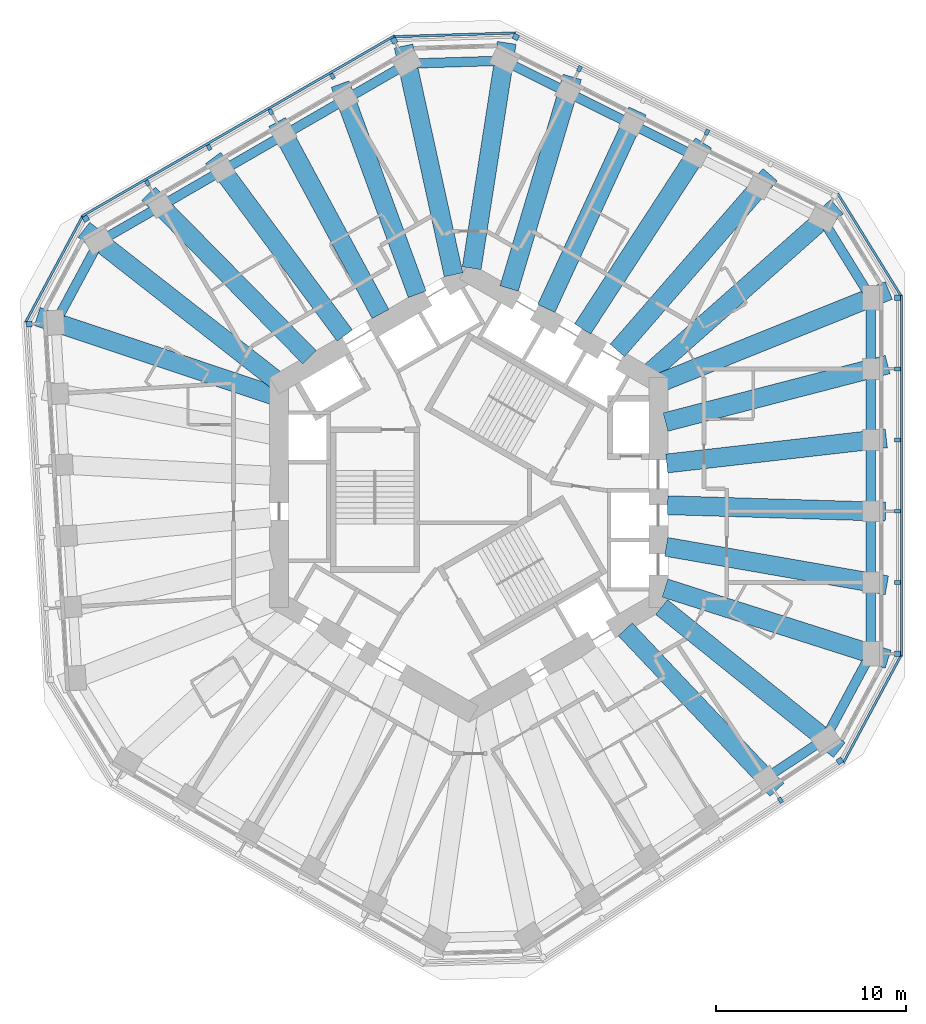
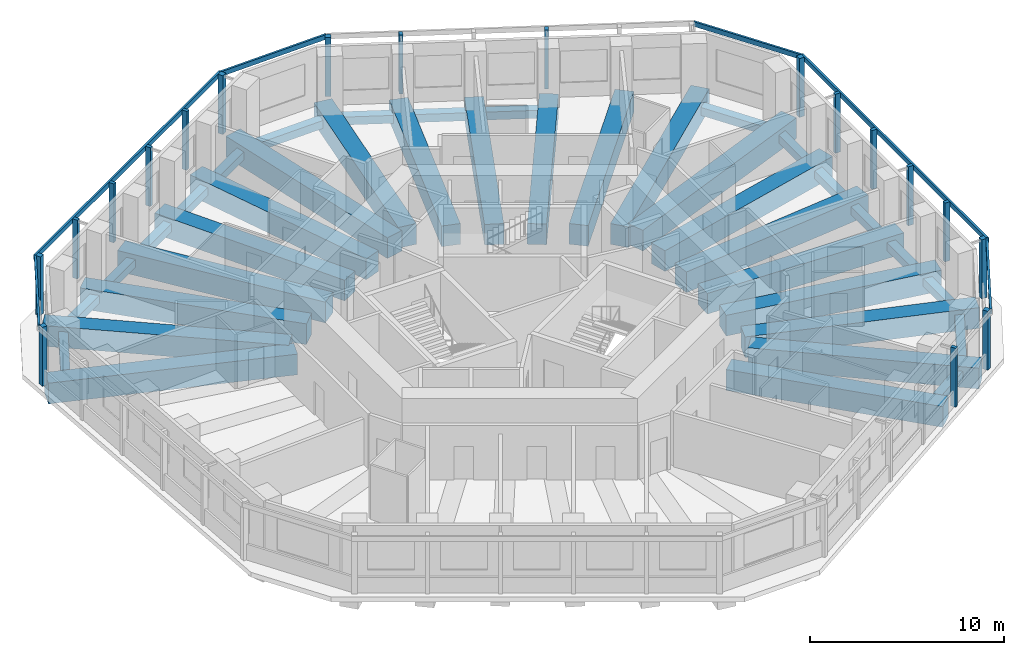
# One storey, part 2 of 12: 39 beams, 24 members, 9 elements without a shape of their own.
"""IFC4 building model written with IfcOpenShell, lengths in metres."""

from ifc_helpers import new_model, si_unit, direction, frame, origin, origin_2d, place, context, subcontext, project, spatial, rectangle, extrude, material, material_profile, profile_set, type_object, element, aggregate, save


model = new_model("IFC4")

# Units and contexts
model_context = context("Model", 3, precision=1e-05, world=origin(), true_north=direction((0.0, 1.0)))
body_context = subcontext(model_context, "Body", "Model", "MODEL_VIEW")
ifc_project = project(units=[si_unit("LENGTHUNIT", "METRE"), si_unit("AREAUNIT", "SQUARE_METRE"), si_unit("VOLUMEUNIT", "CUBIC_METRE"), si_unit("PLANEANGLEUNIT", "RADIAN"), si_unit("MASSUNIT", "GRAM", prefix="KILO")], contexts=[model_context])

# Site, building, storey
site_placement = place(None, origin())
site = spatial("IfcSite", under=ifc_project, at=site_placement, CompositionType="ELEMENT")
building_placement = place(site_placement, origin())
building = spatial("IfcBuilding", under=site, at=building_placement, Name="Vanh Sen Convention Tower", CompositionType="ELEMENT")
storey_placement = place(building_placement, frame((0.0, 0.0, 124.39990234375)))
storey = spatial("IfcBuildingStorey", under=building, at=storey_placement, Name="L30", CompositionType="ELEMENT", Elevation=124.39990234375)

# Curtain wall, members
ifc_material_1 = material(Name="Concrete C50/60", Category="concrete")
curtain_wall_type = type_object("IfcCurtainWallType", Name="Outer skin office zone", PredefinedType="NOTDEFINED", material=ifc_material_1)
curtain_wall_1_placement = place(storey_placement, origin())
curtain_wall_1 = element("IfcCurtainWall", 1, at=curtain_wall_1_placement, inside=storey, type_object=curtain_wall_type, Name="OUTER SKIN E L30", PredefinedType="NOTDEFINED")
ifc_material_profile_1 = material_profile(ifc_material_1, rectangle(XDim=0.300048828125, YDim=0.300048828125, at=origin_2d()), Name="Outer skin precast corner fin 300 x 300")
ifc_profile_set_1 = profile_set([ifc_material_profile_1], Name="Concrete C50/60")
member_type_1 = type_object("IfcMemberType", Name="Outer skin precast corner fin 300 x 300", PredefinedType="MULLION", material=ifc_profile_set_1)
member_1_placement = place(storey_placement, frame((22.60009765625, -8.5009765625, 0.0), z_axis=(0.0, 0.0, 1.0), x_axis=(0.0, 1.0, 0.0)))
member_1 = element("IfcMember", 2, at=member_1_placement, type_object=member_type_1, Name="OUTER SKIN CORNER FIN 1 E L30", PredefinedType="MULLION", context=body_context, shape_type="SweptSolid", body=[
    extrude(rectangle(XDim=0.300048828125, YDim=0.300048828125, at=origin_2d()), origin(), (0.0, 0.0, 1.0), 3.7001953125),
])
member_2_placement = place(storey_placement, frame((22.60009765625, 10.26953125, 0.0), z_axis=(0.0, 0.0, 1.0), x_axis=(0.0, 1.0, 0.0)))
member_2 = element("IfcMember", 3, at=member_2_placement, type_object=member_type_1, Name="OUTER SKIN CORNER FIN 6 E L30", PredefinedType="MULLION", context=body_context, shape_type="SweptSolid", body=[
    extrude(rectangle(XDim=0.300048828125, YDim=0.300048828125, at=origin_2d()), origin(), (0.0, 0.0, 1.0), 3.7001953125),
])

# Curtain wall, member
curtain_wall_2_placement = place(storey_placement, origin())
curtain_wall_2 = element("IfcCurtainWall", 4, at=curtain_wall_2_placement, inside=storey, type_object=curtain_wall_type, Name="OUTER SKIN NE L30", PredefinedType="NOTDEFINED")
member_3_placement = place(storey_placement, frame((2.476318359375, 24.0185546875, 0.0), z_axis=(0.0, 0.0, 1.0), x_axis=(-0.894934361602, 0.44619781311, 0.0)))
member_3 = element("IfcMember", 5, at=member_3_placement, type_object=member_type_1, Name="OUTER SKIN CORNER FIN 6 NE L30", PredefinedType="MULLION", context=body_context, shape_type="SweptSolid", body=[
    extrude(rectangle(XDim=0.300048828125, YDim=0.300048828125, at=origin_2d()), origin(), (0.0, 0.0, 1.0), 3.7001953125),
])

# Curtain wall, members
curtain_wall_3_placement = place(storey_placement, origin())
curtain_wall_3 = element("IfcCurtainWall", 6, at=curtain_wall_3_placement, inside=storey, type_object=curtain_wall_type, Name="OUTER SKIN NW L30", PredefinedType="NOTDEFINED")
member_4_placement = place(storey_placement, frame((-3.93798828125, 23.822509765625, 0.0), z_axis=(0.0, 0.0, 1.0), x_axis=(-0.866025403784, -0.5, 0.0)))
member_4 = element("IfcMember", 7, at=member_4_placement, type_object=member_type_1, Name="OUTER SKIN CORNER FIN 1 NW L30", PredefinedType="MULLION", context=body_context, shape_type="SweptSolid", body=[
    extrude(rectangle(XDim=0.300048828125, YDim=0.300048828125, at=origin_2d()), origin(), (0.0, 0.0, 1.0), 3.7001953125),
])
member_5_placement = place(storey_placement, frame((-20.193603515625, 14.4375, 0.0), z_axis=(0.0, 0.0, 1.0), x_axis=(-0.866025403784, -0.5, 0.0)))
member_5 = element("IfcMember", 8, at=member_5_placement, type_object=member_type_1, Name="OUTER SKIN CORNER FIN 6 NW L30", PredefinedType="MULLION", context=body_context, shape_type="SweptSolid", body=[
    extrude(rectangle(XDim=0.300048828125, YDim=0.300048828125, at=origin_2d()), origin(), (0.0, 0.0, 1.0), 3.7001953125),
])

# Curtain wall, member
curtain_wall_4_placement = place(storey_placement, origin())
curtain_wall_4 = element("IfcCurtainWall", 9, at=curtain_wall_4_placement, inside=storey, type_object=curtain_wall_type, Name="OUTER SKIN W L30", PredefinedType="NOTDEFINED")
member_6_placement = place(storey_placement, frame((-23.184814453125, 8.87060546875, 0.0), z_axis=(0.0, 0.0, 1.0), x_axis=(0.061048539535, -0.998134798422, 0.0)))
member_6 = element("IfcMember", 10, at=member_6_placement, type_object=member_type_1, Name="OUTER SKIN CORNER FIN 1 W L30", PredefinedType="MULLION", context=body_context, shape_type="SweptSolid", body=[
    extrude(rectangle(XDim=0.300048828125, YDim=0.300048828125, at=origin_2d()), origin(), (0.0, 0.0, 1.0), 3.7001953125),
])
aggregate(curtain_wall_4, [member_6])

curtain_wall_5_placement = place(storey_placement, origin())
curtain_wall_5 = element("IfcCurtainWall", 11, at=curtain_wall_5_placement, inside=storey, type_object=curtain_wall_type, Name="OUTER SKIN SE L30", PredefinedType="NOTDEFINED")
member_7_placement = place(storey_placement, frame((19.5625, -14.15380859375, 0.0), z_axis=(0.0, 0.0, 1.0), x_axis=(0.833885822067, 0.551936985312, 0.0)))
member_7 = element("IfcMember", 12, at=member_7_placement, type_object=member_type_1, Name="OUTER SKIN CORNER FIN 6 SE L30", PredefinedType="MULLION", context=body_context, shape_type="SweptSolid", body=[
    extrude(rectangle(XDim=0.300048828125, YDim=0.300048828125, at=origin_2d()), origin(), (0.0, 0.0, 1.0), 3.7001953125),
])

# Member
ifc_material_profile_2 = material_profile(ifc_material_1, rectangle(XDim=0.199951171875, YDim=0.300048828125, at=origin_2d()), Name="Outer skin precast fin 200 x 300")
ifc_profile_set_2 = profile_set([ifc_material_profile_2], Name="Concrete C50/60")
member_type_2 = type_object("IfcMemberType", Name="Outer skin precast fin 200 x 300", PredefinedType="MULLION", material=ifc_profile_set_2)
member_8_placement = place(storey_placement, frame((22.60009765625, -4.746826171875, 0.0), z_axis=(0.0, 0.0, 1.0), x_axis=(0.0, 1.0, 0.0)))
member_8 = element("IfcMember", 13, at=member_8_placement, type_object=member_type_2, Name="OUTER SKIN fin 2 E L30", PredefinedType="MULLION", context=body_context, shape_type="SweptSolid", body=[
    extrude(rectangle(XDim=0.199951171875, YDim=0.300048828125, at=origin_2d()), origin(), (0.0, 0.0, 1.0), 3.7001953125),
])

member_9_placement = place(storey_placement, frame((22.60009765625, -0.992919921875, 0.0), z_axis=(0.0, 0.0, 1.0), x_axis=(0.0, 1.0, 0.0)))
member_9 = element("IfcMember", 14, at=member_9_placement, type_object=member_type_2, Name="OUTER SKIN fin 3 E L30", PredefinedType="MULLION", context=body_context, shape_type="SweptSolid", body=[
    extrude(rectangle(XDim=0.199951171875, YDim=0.300048828125, at=origin_2d()), origin(), (0.0, 0.0, 1.0), 3.7001953125),
])

member_10_placement = place(storey_placement, frame((22.60009765625, 2.76123046875, 0.0), z_axis=(0.0, 0.0, 1.0), x_axis=(0.0, 1.0, 0.0)))
member_10 = element("IfcMember", 15, at=member_10_placement, type_object=member_type_2, Name="OUTER SKIN fin 4 E L30", PredefinedType="MULLION", context=body_context, shape_type="SweptSolid", body=[
    extrude(rectangle(XDim=0.199951171875, YDim=0.300048828125, at=origin_2d()), origin(), (0.0, 0.0, 1.0), 3.7001953125),
])

member_11_placement = place(storey_placement, frame((22.60009765625, 6.515380859375, 0.0), z_axis=(0.0, 0.0, 1.0), x_axis=(0.0, 1.0, 0.0)))
member_11 = element("IfcMember", 16, at=member_11_placement, type_object=member_type_2, Name="OUTER SKIN fin 5 E L30", PredefinedType="MULLION", context=body_context, shape_type="SweptSolid", body=[
    extrude(rectangle(XDim=0.199951171875, YDim=0.300048828125, at=origin_2d()), origin(), (0.0, 0.0, 1.0), 3.7001953125),
])

member_12_placement = place(storey_placement, frame((12.555419921875, 18.993408203125, 0.0), z_axis=(0.0, 0.0, 1.0), x_axis=(-0.894934361602, 0.44619781311, 0.0)))
member_12 = element("IfcMember", 17, at=member_12_placement, type_object=member_type_2, Name="OUTER SKIN fin 3 NE L30", PredefinedType="MULLION", context=body_context, shape_type="SweptSolid", body=[
    extrude(rectangle(XDim=0.199951171875, YDim=0.300048828125, at=origin_2d()), origin(), (0.0, 0.0, 1.0), 3.7001953125),
])

member_13_placement = place(storey_placement, frame((5.8359375, 22.343505859375, 0.0), z_axis=(0.0, 0.0, 1.0), x_axis=(-0.894934361602, 0.44619781311, 0.0)))
member_13 = element("IfcMember", 18, at=member_13_placement, type_object=member_type_2, Name="OUTER SKIN fin 5 NE L30", PredefinedType="MULLION", context=body_context, shape_type="SweptSolid", body=[
    extrude(rectangle(XDim=0.199951171875, YDim=0.300048828125, at=origin_2d()), origin(), (0.0, 0.0, 1.0), 3.7001953125),
])

aggregate(curtain_wall_2, [member_12, member_13, member_3])

member_14_placement = place(storey_placement, frame((-7.189208984375, 21.945556640625, 0.0), z_axis=(0.0, 0.0, 1.0), x_axis=(-0.866025403784, -0.5, 0.0)))
member_14 = element("IfcMember", 19, at=member_14_placement, type_object=member_type_2, Name="OUTER SKIN fin 2 NW L30", PredefinedType="MULLION", context=body_context, shape_type="SweptSolid", body=[
    extrude(rectangle(XDim=0.199951171875, YDim=0.300048828125, at=origin_2d()), origin(), (0.0, 0.0, 1.0), 3.7001953125),
])

member_15_placement = place(storey_placement, frame((-10.440185546875, 20.068603515625, 0.0), z_axis=(0.0, 0.0, 1.0), x_axis=(-0.866025403784, -0.5, 0.0)))
member_15 = element("IfcMember", 20, at=member_15_placement, type_object=member_type_2, Name="OUTER SKIN fin 3 NW L30", PredefinedType="MULLION", context=body_context, shape_type="SweptSolid", body=[
    extrude(rectangle(XDim=0.199951171875, YDim=0.300048828125, at=origin_2d()), origin(), (0.0, 0.0, 1.0), 3.7001953125),
])

member_16_placement = place(storey_placement, frame((-13.69140625, 18.19140625, 0.0), z_axis=(0.0, 0.0, 1.0), x_axis=(-0.866025403784, -0.5, 0.0)))
member_16 = element("IfcMember", 21, at=member_16_placement, type_object=member_type_2, Name="OUTER SKIN fin 4 NW L30", PredefinedType="MULLION", context=body_context, shape_type="SweptSolid", body=[
    extrude(rectangle(XDim=0.199951171875, YDim=0.300048828125, at=origin_2d()), origin(), (0.0, 0.0, 1.0), 3.7001953125),
])

member_17_placement = place(storey_placement, frame((-16.9423828125, 16.314453125, 0.0), z_axis=(0.0, 0.0, 1.0), x_axis=(-0.866025403784, -0.5, 0.0)))
member_17 = element("IfcMember", 22, at=member_17_placement, type_object=member_type_2, Name="OUTER SKIN fin 5 NW L30", PredefinedType="MULLION", context=body_context, shape_type="SweptSolid", body=[
    extrude(rectangle(XDim=0.199951171875, YDim=0.300048828125, at=origin_2d()), origin(), (0.0, 0.0, 1.0), 3.7001953125),
])

member_18_placement = place(storey_placement, frame((16.43212890625, -16.225830078125, 0.0), z_axis=(0.0, 0.0, 1.0), x_axis=(0.833885822067, 0.551936985312, 0.0)))
member_18 = element("IfcMember", 23, at=member_18_placement, type_object=member_type_2, Name="OUTER SKIN fin 5 SE L30", PredefinedType="MULLION", context=body_context, shape_type="SweptSolid", body=[
    extrude(rectangle(XDim=0.199951171875, YDim=0.300048828125, at=origin_2d()), origin(), (0.0, 0.0, 1.0), 3.7001953125),
])

aggregate(curtain_wall_5, [member_18, member_7])

ifc_material_profile_3 = material_profile(ifc_material_1, rectangle(XDim=0.1201171875, YDim=0.300048828125, at=origin_2d()), Name="Outer skin precast spandrel band 300 x 120")
ifc_profile_set_3 = profile_set([ifc_material_profile_3], Name="Concrete C50/60")
member_type_3 = type_object("IfcMemberType", Name="Outer skin precast spandrel band 300 x 120", PredefinedType="USERDEFINED", material=ifc_profile_set_3)
member_19_placement = place(storey_placement, frame((22.81005859375, -8.65087890625, 3.550048828125), z_axis=(0.0, 1.0, 0.0), x_axis=(-1.0, 0.0, 0.0)))
member_19 = element("IfcMember", 24, at=member_19_placement, type_object=member_type_3, Name="OUTER SKIN spandrel band E L30", ObjectType="TRANSOM", PredefinedType="USERDEFINED", context=body_context, shape_type="SweptSolid", body=[
    extrude(rectangle(XDim=0.1201171875, YDim=0.300048828125, at=origin_2d()), origin(), (0.0, 0.0, 1.0), 19.0703125),
])

aggregate(curtain_wall_1, [member_1, member_8, member_9, member_10, member_11, member_2, member_19])

# Curtain wall, member
curtain_wall_6_placement = place(storey_placement, origin())
curtain_wall_6 = element("IfcCurtainWall", 25, at=curtain_wall_6_placement, inside=storey, type_object=curtain_wall_type, Name="OUTER SKIN CH1 L30", PredefinedType="NOTDEFINED")
member_20_placement = place(storey_placement, frame((22.778564453125, 10.3798828125, 3.550048828125), z_axis=(-0.526173726926, 0.850377098171, 0.0), x_axis=(-0.850377098171, -0.526173726926, 0.0)))
member_20 = element("IfcMember", 26, at=member_20_placement, type_object=member_type_3, Name="OUTER SKIN spandrel band CH1 L30", ObjectType="TRANSOM", PredefinedType="USERDEFINED", context=body_context, shape_type="SweptSolid", body=[
    extrude(rectangle(XDim=0.1201171875, YDim=0.300048828125, at=origin_2d()), origin(), (0.0, 0.0, 1.0), 6.319580078125),
])
aggregate(curtain_wall_6, [member_20])

curtain_wall_7_placement = place(storey_placement, origin())
curtain_wall_7 = element("IfcCurtainWall", 27, at=curtain_wall_7_placement, inside=storey, type_object=curtain_wall_type, Name="OUTER SKIN CH2 L30", PredefinedType="NOTDEFINED")
member_21_placement = place(storey_placement, frame((2.4697265625, 24.228515625, 3.550048828125), z_axis=(-0.999533221695, -0.030550592913, 0.0), x_axis=(0.030550592913, -0.999533221695, 0.0)))
member_21 = element("IfcMember", 28, at=member_21_placement, type_object=member_type_3, Name="OUTER SKIN spandrel band CH2 L30", ObjectType="TRANSOM", PredefinedType="USERDEFINED", context=body_context, shape_type="SweptSolid", body=[
    extrude(rectangle(XDim=0.1201171875, YDim=0.300048828125, at=origin_2d()), origin(), (0.0, 0.0, 1.0), 6.4169921875),
])
aggregate(curtain_wall_7, [member_21])

# Member
member_22_placement = place(storey_placement, frame((-3.9130859375, 24.07958984375, 3.550048828125), z_axis=(-0.866023136587, -0.500003926881, 0.0), x_axis=(0.500003926881, -0.866023136587, 0.0)))
member_22 = element("IfcMember", 29, at=member_22_placement, type_object=member_type_3, Name="OUTER SKIN spandrel band NW L30", ObjectType="TRANSOM", PredefinedType="USERDEFINED", context=body_context, shape_type="SweptSolid", body=[
    extrude(rectangle(XDim=0.1201171875, YDim=0.300048828125, at=origin_2d()), origin(), (0.0, 0.0, 1.0), 19.070556640625),
])

aggregate(curtain_wall_3, [member_4, member_14, member_15, member_16, member_17, member_5, member_22])

# Curtain wall, member
curtain_wall_8_placement = place(storey_placement, origin())
curtain_wall_8 = element("IfcCurtainWall", 30, at=curtain_wall_8_placement, inside=storey, type_object=curtain_wall_type, Name="OUTER SKIN CH3 L30", PredefinedType="NOTDEFINED")
member_23_placement = place(storey_placement, frame((-20.378662109375, 14.536865234375, 3.550048828125), z_axis=(-0.47333707755, -0.880881383057, 0.0), x_axis=(0.880881383057, -0.47333707755, 0.0)))
member_23 = element("IfcMember", 31, at=member_23_placement, type_object=member_type_3, Name="OUTER SKIN spandrel band CH3 L30", ObjectType="TRANSOM", PredefinedType="USERDEFINED", context=body_context, shape_type="SweptSolid", body=[
    extrude(rectangle(XDim=0.1201171875, YDim=0.300048828125, at=origin_2d()), origin(), (0.0, 0.0, 1.0), 6.3193359375),
])
aggregate(curtain_wall_8, [member_23])

curtain_wall_9_placement = place(storey_placement, origin())
curtain_wall_9 = element("IfcCurtainWall", 32, at=curtain_wall_9_placement, inside=storey, type_object=curtain_wall_type, Name="OUTER SKIN CH6 L30", PredefinedType="NOTDEFINED")
member_24_placement = place(storey_placement, frame((19.74755859375, -14.253173828125, 3.550048828125), z_axis=(0.473316922434, 0.880892213008, 0.0), x_axis=(-0.880892213008, 0.473316922434, 0.0)))
member_24 = element("IfcMember", 33, at=member_24_placement, type_object=member_type_3, Name="OUTER SKIN spandrel band CH6 L30", ObjectType="TRANSOM", PredefinedType="USERDEFINED", context=body_context, shape_type="SweptSolid", body=[
    extrude(rectangle(XDim=0.1201171875, YDim=0.300048828125, at=origin_2d()), origin(), (0.0, 0.0, 1.0), 6.417236328125),
])
aggregate(curtain_wall_9, [member_24])

# Beams
ifc_material_2 = material(Name="Concrete C50/60", Category="concrete")
ifc_material_profile_4 = material_profile(ifc_material_2, rectangle(XDim=0.5, YDim=0.5, at=origin_2d()), Name="RC 500X500")
ifc_profile_set_4 = profile_set([ifc_material_profile_4], Name="Concrete C50/60")
beam_type_1 = type_object("IfcBeamType", Name="Spandrel beam 500 x 500", PredefinedType="SPANDREL", material=ifc_profile_set_4)
beam_1_placement = place(storey_placement, frame((21.199951171875, -8.060791015625, -0.52978515625), z_axis=(0.0, 1.0, 0.0), x_axis=(-1.0, 0.0, 0.0)))
element("IfcBeam", 34, at=beam_1_placement, inside=storey, type_object=beam_type_1, Name="Spandrel beam 01 L30", PredefinedType="SPANDREL", context=body_context, shape_type="SweptSolid", body=[
    extrude(rectangle(XDim=0.5, YDim=0.5, at=origin_2d()), origin(), (0.0, 0.0, 1.0), 2.85498046875),
])
beam_2_placement = place(storey_placement, frame((21.199951171875, -4.287841796875, -0.52978515625), z_axis=(0.0, 1.0, 0.0), x_axis=(-1.0, 0.0, 0.0)))
element("IfcBeam", 35, at=beam_2_placement, inside=storey, type_object=beam_type_1, Name="Spandrel beam 02 L30", PredefinedType="SPANDREL", context=body_context, shape_type="SweptSolid", body=[
    extrude(rectangle(XDim=0.5, YDim=0.5, at=origin_2d()), origin(), (0.0, 0.0, 1.0), 2.80712890625),
])
beam_3_placement = place(storey_placement, frame((21.199951171875, -0.5048828125, -0.52978515625), z_axis=(0.0, 1.0, 0.0), x_axis=(-1.0, 0.0, 0.0)))
element("IfcBeam", 36, at=beam_3_placement, inside=storey, type_object=beam_type_1, Name="Spandrel beam 03 L30", PredefinedType="SPANDREL", context=body_context, shape_type="SweptSolid", body=[
    extrude(rectangle(XDim=0.5, YDim=0.5, at=origin_2d()), origin(), (0.0, 0.0, 1.0), 2.796630859375),
])
beam_4_placement = place(storey_placement, frame((21.199951171875, 3.23095703125, -0.52978515625), z_axis=(0.0, 1.0, 0.0), x_axis=(-1.0, 0.0, 0.0)))
element("IfcBeam", 37, at=beam_4_placement, inside=storey, type_object=beam_type_1, Name="Spandrel beam 04 L30", PredefinedType="SPANDREL", context=body_context, shape_type="SweptSolid", body=[
    extrude(rectangle(XDim=0.5, YDim=0.5, at=origin_2d()), origin(), (0.0, 0.0, 1.0), 2.837646484375),
])
beam_5_placement = place(storey_placement, frame((21.199951171875, 6.962158203125, -0.52978515625), z_axis=(0.0, 1.0, 0.0), x_axis=(-1.0, 0.0, 0.0)))
element("IfcBeam", 38, at=beam_5_placement, inside=storey, type_object=beam_type_1, Name="Spandrel beam 05 L30", PredefinedType="SPANDREL", context=body_context, shape_type="SweptSolid", body=[
    extrude(rectangle(XDim=0.5, YDim=0.5, at=origin_2d()), origin(), (0.0, 0.0, 1.0), 2.8740234375),
])
beam_6_placement = place(storey_placement, frame((20.958251953125, 10.659912109375, -0.52978515625), z_axis=(-0.526166293958, 0.8503816973, 0.0), x_axis=(-0.8503816973, -0.526166293958, 0.0)))
element("IfcBeam", 39, at=beam_6_placement, inside=storey, type_object=beam_type_1, Name="Spandrel beam 06 L30", PredefinedType="SPANDREL", context=body_context, shape_type="SweptSolid", body=[
    extrude(rectangle(XDim=0.5, YDim=0.5, at=origin_2d()), origin(), (0.0, 0.0, 1.0), 3.927734375),
])
beam_7_placement = place(storey_placement, frame((11.51025390625, 17.9501953125, -0.52978515625), z_axis=(-0.894950348741, 0.446165746431, 0.0), x_axis=(-0.446165746431, -0.894950348741, 0.0)))
element("IfcBeam", 40, at=beam_7_placement, inside=storey, type_object=beam_type_1, Name="Spandrel beam 09 L30", PredefinedType="SPANDREL", context=body_context, shape_type="SweptSolid", body=[
    extrude(rectangle(XDim=0.5, YDim=0.5, at=origin_2d()), origin(), (0.0, 0.0, 1.0), 2.796630859375),
])
beam_8_placement = place(storey_placement, frame((8.134521484375, 19.63330078125, -0.52978515625), z_axis=(-0.894931004594, 0.446204546164, 0.0), x_axis=(-0.446204546164, -0.894931004594, 0.0)))
element("IfcBeam", 41, at=beam_8_placement, inside=storey, type_object=beam_type_1, Name="Spandrel beam 10 L30", PredefinedType="SPANDREL", context=body_context, shape_type="SweptSolid", body=[
    extrude(rectangle(XDim=0.5, YDim=0.5, at=origin_2d()), origin(), (0.0, 0.0, 1.0), 2.807373046875),
])
beam_9_placement = place(storey_placement, frame((4.80029296875, 21.29541015625, -0.52978515625), z_axis=(-0.894922632431, 0.446221337413, 0.0), x_axis=(-0.446221337413, -0.894922632431, 0.0)))
element("IfcBeam", 42, at=beam_9_placement, inside=storey, type_object=beam_type_1, Name="Spandrel beam 11 L30", PredefinedType="SPANDREL", context=body_context, shape_type="SweptSolid", body=[
    extrude(rectangle(XDim=0.5, YDim=0.5, at=origin_2d()), origin(), (0.0, 0.0, 1.0), 2.85498046875),
])
beam_10_placement = place(storey_placement, frame((1.394775390625, 22.751708984375, -0.52978515625), z_axis=(-0.999534669376, -0.030503191898, 0.0), x_axis=(0.030503191898, -0.999534669376, 0.0)))
element("IfcBeam", 43, at=beam_10_placement, inside=storey, type_object=beam_type_1, Name="Spandrel beam 12 L30", PredefinedType="SPANDREL", context=body_context, shape_type="SweptSolid", body=[
    extrude(rectangle(XDim=0.5, YDim=0.5, at=origin_2d()), origin(), (0.0, 0.0, 1.0), 4.177978515625),
])
beam_11_placement = place(storey_placement, frame((-3.619140625, 22.39013671875, -0.52978515625), z_axis=(-0.866018967109, -0.500011148483, 0.0), x_axis=(0.500011148483, -0.866018967109, 0.0)))
element("IfcBeam", 44, at=beam_11_placement, inside=storey, type_object=beam_type_1, Name="Spandrel beam 13 L30", PredefinedType="SPANDREL", context=body_context, shape_type="SweptSolid", body=[
    extrude(rectangle(XDim=0.5, YDim=0.5, at=origin_2d()), origin(), (0.0, 0.0, 1.0), 2.85498046875),
])
beam_12_placement = place(storey_placement, frame((-6.88671875, 20.503662109375, -0.52978515625), z_axis=(-0.866034968174, -0.499983433625, 0.0), x_axis=(0.499983433625, -0.866034968174, 0.0)))
element("IfcBeam", 45, at=beam_12_placement, inside=storey, type_object=beam_type_1, Name="Spandrel beam 14 L30", PredefinedType="SPANDREL", context=body_context, shape_type="SweptSolid", body=[
    extrude(rectangle(XDim=0.5, YDim=0.5, at=origin_2d()), origin(), (0.0, 0.0, 1.0), 2.80712890625),
])
beam_13_placement = place(storey_placement, frame((-10.16259765625, 18.6123046875, -0.52978515625), z_axis=(-0.866021322305, -0.500007069263, 0.0), x_axis=(0.500007069263, -0.866021322305, 0.0)))
element("IfcBeam", 46, at=beam_13_placement, inside=storey, type_object=beam_type_1, Name="Spandrel beam 15 L30", PredefinedType="SPANDREL", context=body_context, shape_type="SweptSolid", body=[
    extrude(rectangle(XDim=0.5, YDim=0.5, at=origin_2d()), origin(), (0.0, 0.0, 1.0), 2.796875),
])
beam_14_placement = place(storey_placement, frame((-13.398193359375, 16.744384765625, -0.52978515625), z_axis=(-0.866010792954, -0.500025305846, 0.0), x_axis=(0.500025305846, -0.866010792954, 0.0)))
element("IfcBeam", 47, at=beam_14_placement, inside=storey, type_object=beam_type_1, Name="Spandrel beam 16 L30", PredefinedType="SPANDREL", context=body_context, shape_type="SweptSolid", body=[
    extrude(rectangle(XDim=0.5, YDim=0.5, at=origin_2d()), origin(), (0.0, 0.0, 1.0), 2.837646484375),
])
beam_15_placement = place(storey_placement, frame((-16.62939453125, 14.878662109375, -0.52978515625), z_axis=(-0.866028566888, -0.499994521305, 0.0), x_axis=(0.499994521305, -0.866028566888, 0.0)))
element("IfcBeam", 48, at=beam_15_placement, inside=storey, type_object=beam_type_1, Name="Spandrel beam 17 L30", PredefinedType="SPANDREL", context=body_context, shape_type="SweptSolid", body=[
    extrude(rectangle(XDim=0.5, YDim=0.5, at=origin_2d()), origin(), (0.0, 0.0, 1.0), 2.8740234375),
])
beam_16_placement = place(storey_placement, frame((-19.711181640625, 12.8203125, -0.52978515625), z_axis=(-0.473328560176, -0.880885959771, 0.0), x_axis=(0.880885959771, -0.473328560176, 0.0)))
element("IfcBeam", 49, at=beam_16_placement, inside=storey, type_object=beam_type_1, Name="Spandrel beam 18 L30", PredefinedType="SPANDREL", context=body_context, shape_type="SweptSolid", body=[
    extrude(rectangle(XDim=0.5, YDim=0.5, at=origin_2d()), origin(), (0.0, 0.0, 1.0), 3.92724609375),
])
beam_17_placement = place(storey_placement, frame((16.0419921875, -14.80517578125, -0.52978515625), z_axis=(0.833874329861, 0.551954347749, 0.0), x_axis=(-0.551954347749, 0.833874329861, 0.0)))
element("IfcBeam", 50, at=beam_17_placement, inside=storey, type_object=beam_type_1, Name="Spandrel beam 35 L30", PredefinedType="SPANDREL", context=body_context, shape_type="SweptSolid", body=[
    extrude(rectangle(XDim=0.5, YDim=0.5, at=origin_2d()), origin(), (0.0, 0.0, 1.0), 2.855224609375),
])
beam_18_placement = place(storey_placement, frame((19.006103515625, -12.583984375, -0.52978515625), z_axis=(0.473315600562, 0.880892923268, 0.0), x_axis=(-0.880892923268, 0.473315600562, 0.0)))
element("IfcBeam", 51, at=beam_18_placement, inside=storey, type_object=beam_type_1, Name="Spandrel beam 36 L30", PredefinedType="SPANDREL", context=body_context, shape_type="SweptSolid", body=[
    extrude(rectangle(XDim=0.5, YDim=0.5, at=origin_2d()), origin(), (0.0, 0.0, 1.0), 4.177978515625),
])
ifc_material_profile_5 = material_profile(ifc_material_2, rectangle(XDim=1.0, YDim=1.300048828125, at=origin_2d()), Name="RC 1000X1300")
ifc_profile_set_5 = profile_set([ifc_material_profile_5], Name="Concrete C50/60")
beam_type_2 = type_object("IfcBeamType", Name="Transfer beam 1000 x 1300", PredefinedType="BEAM", material=ifc_profile_set_5)
beam_19_placement = place(storey_placement, frame((22.1064453125, -8.789794921875, -0.64990234375), z_axis=(-0.952818976032, 0.30353912254, 0.0), x_axis=(-0.30353912254, -0.952818976032, 0.0)))
element("IfcBeam", 52, at=beam_19_placement, inside=storey, type_object=beam_type_2, Name="Transfer beam 01 L30", PredefinedType="BEAM", context=body_context, shape_type="SweptSolid", body=[
    extrude(rectangle(XDim=1.0, YDim=1.300048828125, at=origin_2d()), origin(), (0.0, 0.0, 1.0), 12.345458984375),
])
beam_20_placement = place(storey_placement, frame((22.040771484375, -4.893310546875, -0.64990234375), z_axis=(-0.985172421306, 0.171567188875, 0.0), x_axis=(-0.171567188875, -0.985172421306, 0.0)))
element("IfcBeam", 53, at=beam_20_placement, inside=storey, type_object=beam_type_2, Name="Transfer beam 02 L30", PredefinedType="BEAM", context=body_context, shape_type="SweptSolid", body=[
    extrude(rectangle(XDim=1.0, YDim=1.300048828125, at=origin_2d()), origin(), (0.0, 0.0, 1.0), 11.806640625),
])
beam_21_placement = place(storey_placement, frame((21.969970703125, -1.015869140625, -0.64990234375), z_axis=(-0.999554678912, 0.029840306055, 0.0), x_axis=(-0.029840306055, -0.999554678912, 0.0)))
element("IfcBeam", 54, at=beam_21_placement, inside=storey, type_object=beam_type_2, Name="Transfer beam 03 L30", PredefinedType="BEAM", context=body_context, shape_type="SweptSolid", body=[
    extrude(rectangle(XDim=1.0, YDim=1.300048828125, at=origin_2d()), origin(), (0.0, 0.0, 1.0), 11.4951171875),
])
beam_22_placement = place(storey_placement, frame((22.011962890625, 2.854248046875, -0.64990234375), z_axis=(-0.99350176637, -0.113816695702, 0.0), x_axis=(0.113816695702, -0.99350176637, 0.0)))
element("IfcBeam", 55, at=beam_22_placement, inside=storey, type_object=beam_type_2, Name="Transfer beam 04 L30", PredefinedType="BEAM", context=body_context, shape_type="SweptSolid", body=[
    extrude(rectangle(XDim=1.0, YDim=1.300048828125, at=origin_2d()), origin(), (0.0, 0.0, 1.0), 11.649658203125),
])
beam_23_placement = place(storey_placement, frame((22.080078125, 6.743408203125, -0.64990234375), z_axis=(-0.96806241995, -0.250709295958, 0.0), x_axis=(0.250709295958, -0.96806241995, 0.0)))
element("IfcBeam", 56, at=beam_23_placement, inside=storey, type_object=beam_type_2, Name="Transfer beam 05 L30", PredefinedType="BEAM", context=body_context, shape_type="SweptSolid", body=[
    extrude(rectangle(XDim=1.0, YDim=1.300048828125, at=origin_2d()), origin(), (0.0, 0.0, 1.0), 12.096435546875),
])
beam_24_placement = place(storey_placement, frame((22.1416015625, 10.6494140625, -0.64990234375), z_axis=(-0.927396649041, -0.374079477313, 0.0), x_axis=(0.374079477313, -0.927396649041, 0.0)))
element("IfcBeam", 57, at=beam_24_placement, inside=storey, type_object=beam_type_2, Name="Transfer beam 06 L30", PredefinedType="BEAM", context=body_context, shape_type="SweptSolid", body=[
    extrude(rectangle(XDim=1.0, YDim=1.300048828125, at=origin_2d()), origin(), (0.0, 0.0, 1.0), 12.82958984375),
])
beam_25_placement = place(storey_placement, frame((19.409912109375, 15.063720703125, -0.64990234375), z_axis=(-0.748543470043, -0.663085721046, 0.0), x_axis=(0.663085721046, -0.748543470043, 0.0)))
element("IfcBeam", 58, at=beam_25_placement, inside=storey, type_object=beam_type_2, Name="Transfer beam 07 L30", PredefinedType="BEAM", context=body_context, shape_type="SweptSolid", body=[
    extrude(rectangle(XDim=1.0, YDim=1.300048828125, at=origin_2d()), origin(), (0.0, 0.0, 1.0), 13.087158203125),
])
beam_26_placement = place(storey_placement, frame((15.886962890625, 16.75146484375, -0.64990234375), z_axis=(-0.656260436311, -0.754534452317, 0.0), x_axis=(0.754534452317, -0.656260436311, 0.0)))
element("IfcBeam", 59, at=beam_26_placement, inside=storey, type_object=beam_type_2, Name="Transfer beam 08 L30", PredefinedType="BEAM", context=body_context, shape_type="SweptSolid", body=[
    extrude(rectangle(XDim=1.0, YDim=1.300048828125, at=origin_2d()), origin(), (0.0, 0.0, 1.0), 12.27734375),
])
beam_27_placement = place(storey_placement, frame((12.376220703125, 18.425537109375, -0.64990234375), z_axis=(-0.545162273074, -0.838330541026, 0.0), x_axis=(0.838330541026, -0.545162273074, 0.0)))
element("IfcBeam", 60, at=beam_27_placement, inside=storey, type_object=beam_type_2, Name="Transfer beam 09 L30", PredefinedType="BEAM", context=body_context, shape_type="SweptSolid", body=[
    extrude(rectangle(XDim=1.0, YDim=1.300048828125, at=origin_2d()), origin(), (0.0, 0.0, 1.0), 11.69287109375),
])
beam_28_placement = place(storey_placement, frame((8.893798828125, 20.114990234375, -0.64990234375), z_axis=(-0.419316087437, -0.907840304688, 0.0), x_axis=(0.907840304688, -0.419316087437, 0.0)))
element("IfcBeam", 61, at=beam_28_placement, inside=storey, type_object=beam_type_2, Name="Transfer beam 10 L30", PredefinedType="BEAM", context=body_context, shape_type="SweptSolid", body=[
    extrude(rectangle(XDim=1.0, YDim=1.300048828125, at=origin_2d()), origin(), (0.0, 0.0, 1.0), 11.46484375),
])
beam_29_placement = place(storey_placement, frame((5.455322265625, 21.908447265625, -0.64990234375), z_axis=(-0.286023451497, -0.958222617764, 0.0), x_axis=(0.958222617764, -0.286023451497, 0.0)))
element("IfcBeam", 62, at=beam_29_placement, inside=storey, type_object=beam_type_2, Name="Transfer beam 11 L30", PredefinedType="BEAM", context=body_context, shape_type="SweptSolid", body=[
    extrude(rectangle(XDim=1.0, YDim=1.300048828125, at=origin_2d()), origin(), (0.0, 0.0, 1.0), 11.637451171875),
])
beam_30_placement = place(storey_placement, frame((1.99755859375, 23.705810546875, -0.64990234375), z_axis=(-0.153504813281, -0.988147900013, 0.0), x_axis=(0.988147900013, -0.153504813281, 0.0)))
element("IfcBeam", 63, at=beam_30_placement, inside=storey, type_object=beam_type_2, Name="Transfer beam 12 L30", PredefinedType="BEAM", context=body_context, shape_type="SweptSolid", body=[
    extrude(rectangle(XDim=1.0, YDim=1.300048828125, at=origin_2d()), origin(), (0.0, 0.0, 1.0), 12.025390625),
])
beam_31_placement = place(storey_placement, frame((-3.44091796875, 23.539794921875, -0.64990234375), z_axis=(0.213495176268, -0.976944118008, 0.0), x_axis=(0.976944118008, 0.213495176268, 0.0)))
element("IfcBeam", 64, at=beam_31_placement, inside=storey, type_object=beam_type_2, Name="Transfer beam 13 L30", PredefinedType="BEAM", context=body_context, shape_type="SweptSolid", body=[
    extrude(rectangle(XDim=1.0, YDim=1.300048828125, at=origin_2d()), origin(), (0.0, 0.0, 1.0), 12.345703125),
])
beam_32_placement = place(storey_placement, frame((-6.78271484375, 21.534423828125, -0.64990234375), z_axis=(0.343963596553, -0.938982984002, 0.0), x_axis=(0.938982984002, 0.343963596553, 0.0)))
element("IfcBeam", 65, at=beam_32_placement, inside=storey, type_object=beam_type_2, Name="Transfer beam 14 L30", PredefinedType="BEAM", context=body_context, shape_type="SweptSolid", body=[
    extrude(rectangle(XDim=1.0, YDim=1.300048828125, at=origin_2d()), origin(), (0.0, 0.0, 1.0), 11.806640625),
])
beam_33_placement = place(storey_placement, frame((-10.105224609375, 19.534423828125, -0.64990234375), z_axis=(0.47393389471, -0.880560425777, 0.0), x_axis=(0.880560425777, 0.47393389471, 0.0)))
element("IfcBeam", 66, at=beam_33_placement, inside=storey, type_object=beam_type_2, Name="Transfer beam 15 L30", PredefinedType="BEAM", context=body_context, shape_type="SweptSolid", body=[
    extrude(rectangle(XDim=1.0, YDim=1.300048828125, at=origin_2d()), origin(), (0.0, 0.0, 1.0), 11.494873046875),
])
beam_34_placement = place(storey_placement, frame((-13.477783203125, 17.6357421875, -0.64990234375), z_axis=(0.595308740293, -0.803497046498, 0.0), x_axis=(0.803497046498, 0.595308740293, 0.0)))
element("IfcBeam", 67, at=beam_34_placement, inside=storey, type_object=beam_type_2, Name="Transfer beam 16 L30", PredefinedType="BEAM", context=body_context, shape_type="SweptSolid", body=[
    extrude(rectangle(XDim=1.0, YDim=1.300048828125, at=origin_2d()), origin(), (0.0, 0.0, 1.0), 11.6494140625),
])
beam_35_placement = place(storey_placement, frame((-16.880126953125, 15.750244140625, -0.64990234375), z_axis=(0.701168681113, -0.712995428195, 0.0), x_axis=(0.712995428195, 0.701168681113, 0.0)))
element("IfcBeam", 68, at=beam_35_placement, inside=storey, type_object=beam_type_2, Name="Transfer beam 17 L30", PredefinedType="BEAM", context=body_context, shape_type="SweptSolid", body=[
    extrude(rectangle(XDim=1.0, YDim=1.300048828125, at=origin_2d()), origin(), (0.0, 0.0, 1.0), 12.096923828125),
])
beam_36_placement = place(storey_placement, frame((-20.29345703125, 13.8505859375, -0.64990234375), z_axis=(0.787659575113, -0.616110699252, 0.0), x_axis=(0.616110699252, 0.787659575113, 0.0)))
element("IfcBeam", 69, at=beam_36_placement, inside=storey, type_object=beam_type_2, Name="Transfer beam 18 L30", PredefinedType="BEAM", context=body_context, shape_type="SweptSolid", body=[
    extrude(rectangle(XDim=1.0, YDim=1.300048828125, at=origin_2d()), origin(), (0.0, 0.0, 1.0), 12.829833984375),
])
beam_37_placement = place(storey_placement, frame((-22.75048828125, 9.27783203125, -0.64990234375), z_axis=(0.948513404209, -0.316736991898, 0.0), x_axis=(0.316736991898, 0.948513404209, 0.0)))
element("IfcBeam", 70, at=beam_37_placement, inside=storey, type_object=beam_type_2, Name="Transfer beam 19 L30", PredefinedType="BEAM", context=body_context, shape_type="SweptSolid", body=[
    extrude(rectangle(XDim=1.0, YDim=1.300048828125, at=origin_2d()), origin(), (0.0, 0.0, 1.0), 13.08740234375),
])
beam_38_placement = place(storey_placement, frame((16.24560546875, -15.6787109375, -0.64990234375), z_axis=(-0.686852659416, 0.726796687013, 0.0), x_axis=(-0.726796687013, -0.686852659416, 0.0)))
element("IfcBeam", 71, at=beam_38_placement, inside=storey, type_object=beam_type_2, Name="Transfer beam 35 L30", PredefinedType="BEAM", context=body_context, shape_type="SweptSolid", body=[
    extrude(rectangle(XDim=1.0, YDim=1.300048828125, at=origin_2d()), origin(), (0.0, 0.0, 1.0), 11.637451171875),
])
beam_39_placement = place(storey_placement, frame((19.531005859375, -13.5830078125, -0.64990234375), z_axis=(-0.779037321927, 0.626977552265, 0.0), x_axis=(-0.626977552265, -0.779037321927, 0.0)))
element("IfcBeam", 72, at=beam_39_placement, inside=storey, type_object=beam_type_2, Name="Transfer beam 36 L30", PredefinedType="BEAM", context=body_context, shape_type="SweptSolid", body=[
    extrude(rectangle(XDim=1.0, YDim=1.300048828125, at=origin_2d()), origin(), (0.0, 0.0, 1.0), 12.025634765625),
])

save(model, "model.ifc")
